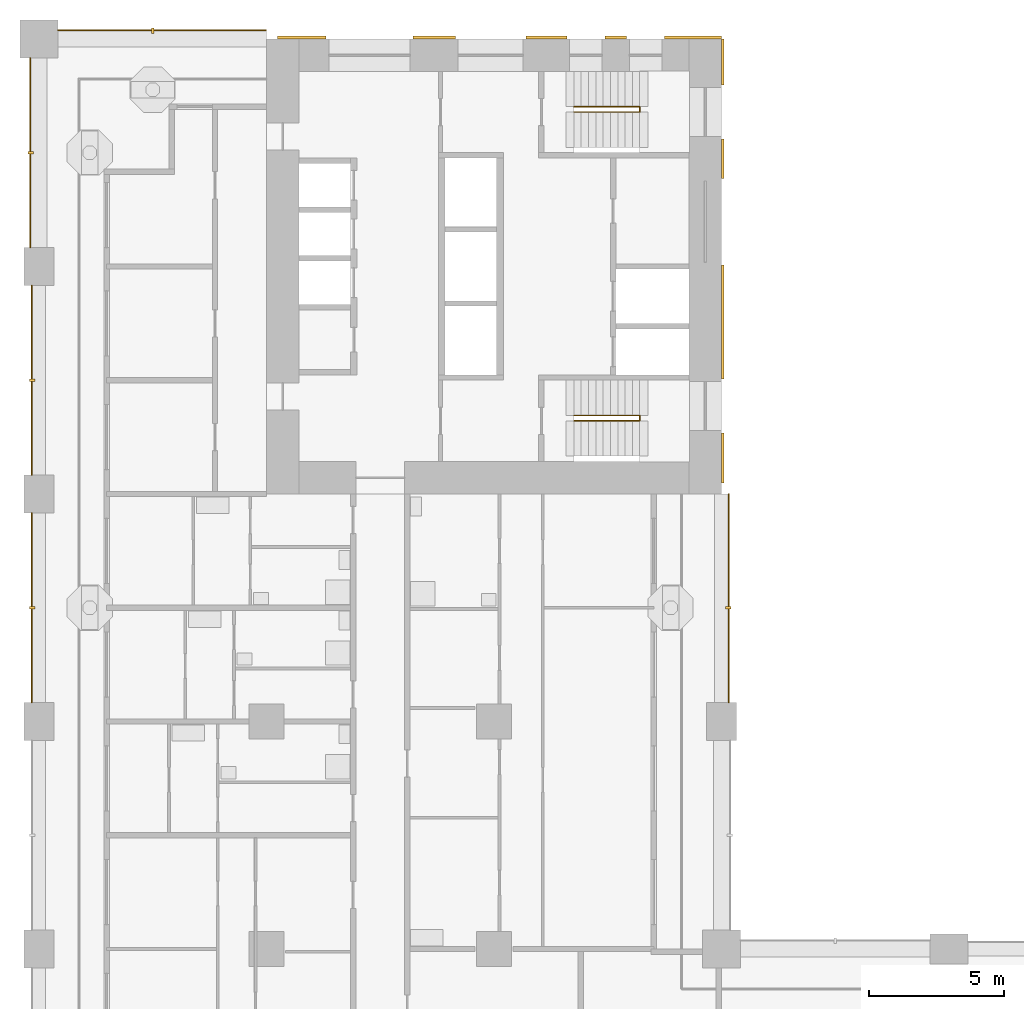
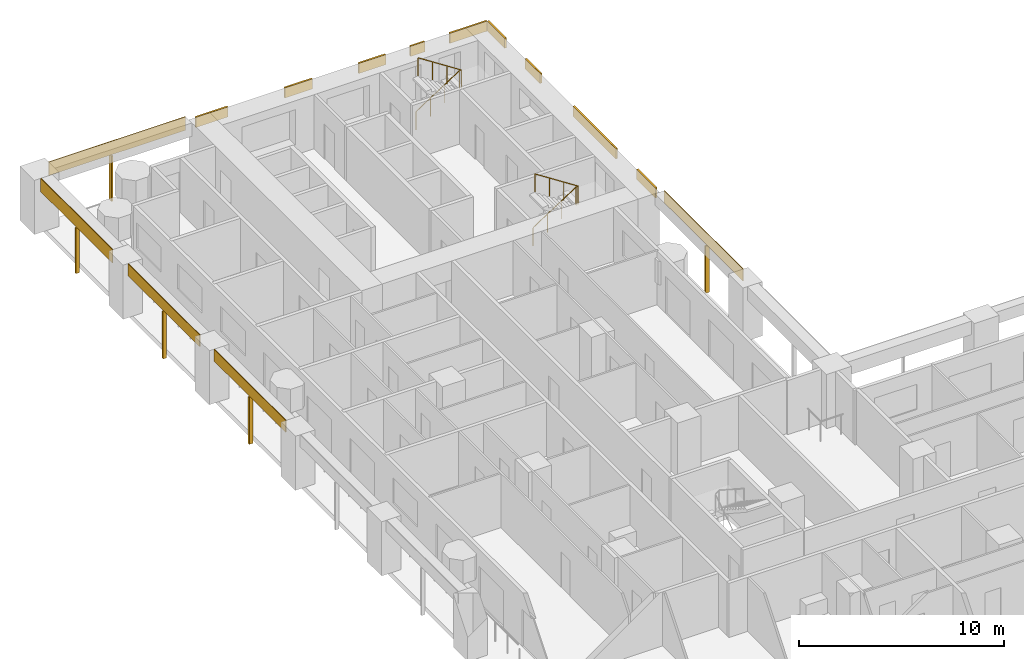
# One storey, part 14 of 19: 19 shading devices, 2 railings.
"""IFC4 building model written with IfcOpenShell, lengths in metres."""

from ifc_helpers import new_model, si_unit, direction, frame, origin, origin_2d, place, context, subcontext, project, spatial, rectangle, circle, extrude, material, layer, layer_set, material_profile, profile_set, type_object, element, save


model = new_model("IFC4")

# Units and contexts
model_context = context("Model", 3, precision=1e-05, world=origin(), true_north=direction((0.0, 1.0)))
body_context = subcontext(model_context, "Body", "Model", "MODEL_VIEW")
ifc_project = project(units=[si_unit("LENGTHUNIT", "METRE"), si_unit("AREAUNIT", "SQUARE_METRE"), si_unit("VOLUMEUNIT", "CUBIC_METRE"), si_unit("PLANEANGLEUNIT", "RADIAN"), si_unit("MASSUNIT", "GRAM", prefix="KILO")], contexts=[model_context])

# Site, building, storey
site_placement = place(None, origin())
site = spatial("IfcSite", under=ifc_project, at=site_placement, CompositionType="ELEMENT")
building_placement = place(site_placement, origin())
building = spatial("IfcBuilding", under=site, at=building_placement, Name="Vermilion Gate Residences", CompositionType="ELEMENT")
storey_placement = place(building_placement, frame((0.0, 0.0, 32.199951171875)))
storey = spatial("IfcBuildingStorey", under=building, at=storey_placement, Name="L06", CompositionType="ELEMENT", Elevation=32.199951171875)

# Shading devices
ifc_material_1 = material(Name="Perforated terracotta", Category="masonry")
ifc_layer_1 = layer(ifc_material_1, 0.0400390625)
ifc_layer_set_1 = layer_set([ifc_layer_1], Name="PERFORATED TERRACOTTA SCREEN 40")
shading_device_type_1 = type_object("IfcShadingDeviceType", Name="PERFORATED TERRACOTTA SCREEN 40", PredefinedType="SHUTTER", material=ifc_layer_set_1)
shading_device_1_placement = place(storey_placement, frame((25.469970703125, 38.14990234375, 2.52001953125), z_axis=(0.0, 0.0, 1.0), x_axis=(0.0, 1.0, 0.0)))
element("IfcShadingDevice", 1, at=shading_device_1_placement, inside=storey, type_object=shading_device_type_1, Name="SCREEN", PredefinedType="SHUTTER", context=body_context, shape_type="SweptSolid", body=[
    extrude(rectangle(XDim=7.699951171875, YDim=0.0400390625, at=origin_2d()), origin(), (0.0, 0.0, 1.0), 0.699951171875),
])
shading_device_2_placement = place(storey_placement, frame((4.550048828125, 59.1201171875, 2.419921875), z_axis=(0.0, 0.0, 1.0), x_axis=(-1.0, 0.0, 0.0)))
element("IfcShadingDevice", 2, at=shading_device_2_placement, inside=storey, type_object=shading_device_type_1, Name="SCREEN", PredefinedType="SHUTTER", context=body_context, shape_type="SweptSolid", body=[
    extrude(rectangle(XDim=7.699951171875, YDim=0.0400390625, at=origin_2d()), origin(), (0.0, 0.0, 1.0), 0.800048828125),
])
for number, where, z_axis, x_axis, name in (
    (3, (-0.27001953125, 37.800048828125, 2.52001953125), (0.0, 0.0, 1.0), (0.0, -1.0, 0.0), "SCREEN"),
    (4, (-0.27001953125, 46.199951171875, 2.52001953125), (0.0, 0.0, 1.0), (0.0, -1.0, 0.0), "SCREEN"),
):
    element("IfcShadingDevice", number, at=place(storey_placement, frame(where, z_axis=z_axis, x_axis=x_axis)), inside=storey, type_object=shading_device_type_1, Name=name, PredefinedType="SHUTTER", context=body_context, shape_type="SweptSolid", body=[
        extrude(rectangle(XDim=7.0, YDim=0.0400390625, at=origin_2d()), origin(), (0.0, 0.0, 1.0), 0.699951171875),
    ])
shading_device_3_placement = place(storey_placement, frame((-0.320068359375, 54.60009765625, 2.419921875), z_axis=(0.0, 0.0, 1.0), x_axis=(0.0, -1.0, 0.0)))
element("IfcShadingDevice", 5, at=shading_device_3_placement, inside=storey, type_object=shading_device_type_1, Name="SCREEN", PredefinedType="SHUTTER", context=body_context, shape_type="SweptSolid", body=[
    extrude(rectangle(XDim=7.0, YDim=0.0400390625, at=origin_2d()), origin(), (0.0, 0.0, 1.0), 0.800048828125),
])

# Railings
ifc_material_2 = material(Name="Steel S355", Category="steel")
railing_type = type_object("IfcRailingType", Name="STAIR GUARD 1100 STEEL", PredefinedType="GUARDRAIL", material=ifc_material_2)
for number, where, name in (
    (6, (19.75, 56.300048828125, 0.175048828125), "Stair well guard STB1-06"),
    (7, (19.75, 44.89990234375, 0.175048828125), "Stair well guard STB2-06"),
):
    element("IfcRailing", number, at=place(storey_placement, frame(where)), inside=storey, type_object=railing_type, Name=name, PredefinedType="GUARDRAIL", context=body_context, shape_type="SweptSolid", body=[
        extrude(circle(Radius=0.02392578125, at=origin_2d()), frame((0.0, 0.0, 1.076171875), z_axis=(0.839153699163, 0.0, 0.543894354798), x_axis=(0.0, 1.0, 0.0)), (0.0, 0.0, 1.0), 2.895751953125),
        extrude(circle(Radius=0.02392578125, at=origin_2d()), frame((2.429931640625, 0.0, 2.65087890625), z_axis=(0.0, -0.752405939678, 0.658699705433), x_axis=(1.0, 0.0, 0.0)), (0.0, 0.0, 1.0), 0.265869140625),
        extrude(circle(Radius=0.02392578125, at=origin_2d()), frame((2.429931640625, -0.199951171875, 2.826171875), z_axis=(-0.839153699163, 0.0, 0.543894354798), x_axis=(0.0, -1.0, 0.0)), (0.0, 0.0, 1.0), 2.895751953125),
        extrude(circle(Radius=0.02099609375, at=origin_2d()), origin(), (0.0, 0.0, 1.0), 1.052001953125),
        extrude(circle(Radius=0.02099609375, at=origin_2d()), frame((0.81005859375, 0.0, 0.52490234375)), (0.0, 0.0, 1.0), 1.052001953125),
        extrude(circle(Radius=0.02099609375, at=origin_2d()), frame((1.619873046875, 0.0, 1.050048828125)), (0.0, 0.0, 1.0), 1.052001953125),
        extrude(circle(Radius=0.02099609375, at=origin_2d()), frame((2.429931640625, 0.0, 1.574951171875)), (0.0, 0.0, 1.0), 1.052001953125),
        extrude(circle(Radius=0.02099609375, at=origin_2d()), frame((2.429931640625, -0.199951171875, 1.75)), (0.0, 0.0, 1.0), 1.052001953125),
        extrude(circle(Radius=0.02099609375, at=origin_2d()), frame((1.619873046875, -0.199951171875, 2.27490234375)), (0.0, 0.0, 1.0), 1.052001953125),
        extrude(circle(Radius=0.02099609375, at=origin_2d()), frame((0.81005859375, -0.199951171875, 2.800048828125)), (0.0, 0.0, 1.0), 1.052001953125),
        extrude(circle(Radius=0.02099609375, at=origin_2d()), frame((0.0, -0.199951171875, 3.324951171875)), (0.0, 0.0, 1.0), 1.052001953125),
    ])

# Shading devices
ifc_material_3 = material(Name="Extruded terracotta", Category="masonry")
ifc_material_profile = material_profile(ifc_material_3, rectangle(XDim=0.199951171875, YDim=0.10009765625, at=origin_2d()), Name="BAGUETTE 100 X 200")
ifc_profile_set = profile_set([ifc_material_profile], Name="Extruded terracotta")
shading_device_type_2 = type_object("IfcShadingDeviceType", Name="TERRACOTTA BAGUETTE 100 X 200", PredefinedType="JALOUSIE", material=ifc_profile_set)
shading_device_4_placement = place(storey_placement, frame((25.449951171875, 37.800048828125, -0.280029296875), z_axis=(0.0, 0.0, 1.0), x_axis=(-1.0, 0.0, 0.0)))
element("IfcShadingDevice", 8, at=shading_device_4_placement, inside=storey, type_object=shading_device_type_2, Name="BAGUETTE", PredefinedType="JALOUSIE", context=body_context, shape_type="SweptSolid", body=[
    extrude(rectangle(XDim=0.199951171875, YDim=0.10009765625, at=origin_2d()), origin(), (0.0, 0.0, 1.0), 2.800048828125),
])
shading_device_5_placement = place(storey_placement, frame((4.199951171875, 59.10009765625, -0.280029296875), z_axis=(0.0, 0.0, 1.0), x_axis=(0.0, -1.0, 0.0)))
element("IfcShadingDevice", 9, at=shading_device_5_placement, inside=storey, type_object=shading_device_type_2, Name="BAGUETTE", PredefinedType="JALOUSIE", context=body_context, shape_type="SweptSolid", body=[
    extrude(rectangle(XDim=0.199951171875, YDim=0.10009765625, at=origin_2d()), origin(), (0.0, 0.0, 1.0), 2.7001953125),
])
for number, where, z_axis, x_axis, name in (
    (10, (-0.25, 37.800048828125, -0.280029296875), (0.0, 0.0, 1.0), (1.0, 0.0, 0.0), "BAGUETTE"),
    (11, (-0.25, 46.199951171875, -0.280029296875), (0.0, 0.0, 1.0), (1.0, 0.0, 0.0), "BAGUETTE"),
):
    element("IfcShadingDevice", number, at=place(storey_placement, frame(where, z_axis=z_axis, x_axis=x_axis)), inside=storey, type_object=shading_device_type_2, Name=name, PredefinedType="JALOUSIE", context=body_context, shape_type="SweptSolid", body=[
        extrude(rectangle(XDim=0.199951171875, YDim=0.10009765625, at=origin_2d()), origin(), (0.0, 0.0, 1.0), 2.800048828125),
    ])
shading_device_6_placement = place(storey_placement, frame((-0.300048828125, 54.60009765625, -0.280029296875), z_axis=(0.0, 0.0, 1.0), x_axis=(1.0, 0.0, 0.0)))
element("IfcShadingDevice", 12, at=shading_device_6_placement, inside=storey, type_object=shading_device_type_2, Name="BAGUETTE", PredefinedType="JALOUSIE", context=body_context, shape_type="SweptSolid", body=[
    extrude(rectangle(XDim=0.199951171875, YDim=0.10009765625, at=origin_2d()), origin(), (0.0, 0.0, 1.0), 2.7001953125),
])
ifc_material_4 = material(Name="Extruded terracotta", Category="masonry")
ifc_layer_2 = layer(ifc_material_4, 0.10009765625)
ifc_layer_set_2 = layer_set([ifc_layer_2], Name="TERRACOTTA SPANDREL BAND 600 X 100")
shading_device_type_3 = type_object("IfcShadingDeviceType", Name="TERRACOTTA SPANDREL BAND 600 X 100", PredefinedType="USERDEFINED", material=ifc_layer_set_2)
shading_device_7_placement = place(storey_placement, frame((9.702392578125, 58.85009765625, 2.6201171875), z_axis=(0.0, 0.0, 1.0), x_axis=(1.0, 0.0, 0.0)))
element("IfcShadingDevice", 13, at=shading_device_7_placement, inside=storey, type_object=shading_device_type_3, Name="SPANDREL BAND", ObjectType="BAND", PredefinedType="USERDEFINED", context=body_context, shape_type="SweptSolid", body=[
    extrude(rectangle(XDim=1.804931640625, YDim=0.10009765625, at=origin_2d()), origin(), (0.0, 0.0, 1.0), 0.60009765625),
])
shading_device_8_placement = place(storey_placement, frame((14.590087890625, 58.85009765625, 2.6201171875), z_axis=(0.0, 0.0, 1.0), x_axis=(1.0, 0.0, 0.0)))
element("IfcShadingDevice", 14, at=shading_device_8_placement, inside=storey, type_object=shading_device_type_3, Name="SPANDREL BAND", ObjectType="BAND", PredefinedType="USERDEFINED", context=body_context, shape_type="SweptSolid", body=[
    extrude(rectangle(XDim=1.570068359375, YDim=0.10009765625, at=origin_2d()), origin(), (0.0, 0.0, 1.0), 0.60009765625),
])
shading_device_9_placement = place(storey_placement, frame((18.734130859375, 58.85009765625, 2.6201171875), z_axis=(0.0, 0.0, 1.0), x_axis=(1.0, 0.0, 0.0)))
element("IfcShadingDevice", 15, at=shading_device_9_placement, inside=storey, type_object=shading_device_type_3, Name="SPANDREL BAND", ObjectType="BAND", PredefinedType="USERDEFINED", context=body_context, shape_type="SweptSolid", body=[
    extrude(rectangle(XDim=1.518310546875, YDim=0.10009765625, at=origin_2d()), origin(), (0.0, 0.0, 1.0), 0.60009765625),
])
shading_device_10_placement = place(storey_placement, frame((21.294921875, 58.85009765625, 2.6201171875), z_axis=(0.0, 0.0, 1.0), x_axis=(1.0, 0.0, 0.0)))
element("IfcShadingDevice", 16, at=shading_device_10_placement, inside=storey, type_object=shading_device_type_3, Name="SPANDREL BAND", ObjectType="BAND", PredefinedType="USERDEFINED", context=body_context, shape_type="SweptSolid", body=[
    extrude(rectangle(XDim=0.803466796875, YDim=0.10009765625, at=origin_2d()), origin(), (0.0, 0.0, 1.0), 0.60009765625),
])
shading_device_11_placement = place(storey_placement, frame((24.1484375, 58.85009765625, 2.6201171875), z_axis=(0.0, 0.0, 1.0), x_axis=(1.0, 0.0, 0.0)))
element("IfcShadingDevice", 17, at=shading_device_11_placement, inside=storey, type_object=shading_device_type_3, Name="SPANDREL BAND", ObjectType="BAND", PredefinedType="USERDEFINED", context=body_context, shape_type="SweptSolid", body=[
    extrude(rectangle(XDim=2.103271484375, YDim=0.10009765625, at=origin_2d()), origin(), (0.0, 0.0, 1.0), 0.60009765625),
])
shading_device_12_placement = place(storey_placement, frame((25.25, 43.324951171875, 2.6201171875), z_axis=(0.0, 0.0, 1.0), x_axis=(0.0, 1.0, 0.0)))
element("IfcShadingDevice", 18, at=shading_device_12_placement, inside=storey, type_object=shading_device_type_3, Name="SPANDREL BAND", ObjectType="BAND", PredefinedType="USERDEFINED", context=body_context, shape_type="SweptSolid", body=[
    extrude(rectangle(XDim=1.85009765625, YDim=0.10009765625, at=origin_2d()), origin(), (0.0, 0.0, 1.0), 0.60009765625),
])
shading_device_13_placement = place(storey_placement, frame((25.25, 48.35009765625, 2.6201171875), z_axis=(0.0, 0.0, 1.0), x_axis=(0.0, 1.0, 0.0)))
element("IfcShadingDevice", 19, at=shading_device_13_placement, inside=storey, type_object=shading_device_type_3, Name="SPANDREL BAND", ObjectType="BAND", PredefinedType="USERDEFINED", context=body_context, shape_type="SweptSolid", body=[
    extrude(rectangle(XDim=4.199951171875, YDim=0.10009765625, at=origin_2d()), origin(), (0.0, 0.0, 1.0), 0.60009765625),
])
shading_device_14_placement = place(storey_placement, frame((25.25, 54.375, 2.6201171875), z_axis=(0.0, 0.0, 1.0), x_axis=(0.0, 1.0, 0.0)))
element("IfcShadingDevice", 20, at=shading_device_14_placement, inside=storey, type_object=shading_device_type_3, Name="SPANDREL BAND", ObjectType="BAND", PredefinedType="USERDEFINED", context=body_context, shape_type="SweptSolid", body=[
    extrude(rectangle(XDim=1.449951171875, YDim=0.10009765625, at=origin_2d()), origin(), (0.0, 0.0, 1.0), 0.60009765625),
])
shading_device_15_placement = place(storey_placement, frame((25.25, 57.949951171875, 2.6201171875), z_axis=(0.0, 0.0, 1.0), x_axis=(0.0, 1.0, 0.0)))
element("IfcShadingDevice", 21, at=shading_device_15_placement, inside=storey, type_object=shading_device_type_3, Name="SPANDREL BAND", ObjectType="BAND", PredefinedType="USERDEFINED", context=body_context, shape_type="SweptSolid", body=[
    extrude(rectangle(XDim=1.699951171875, YDim=0.10009765625, at=origin_2d()), origin(), (0.0, 0.0, 1.0), 0.60009765625),
])

save(model, "model.ifc")
